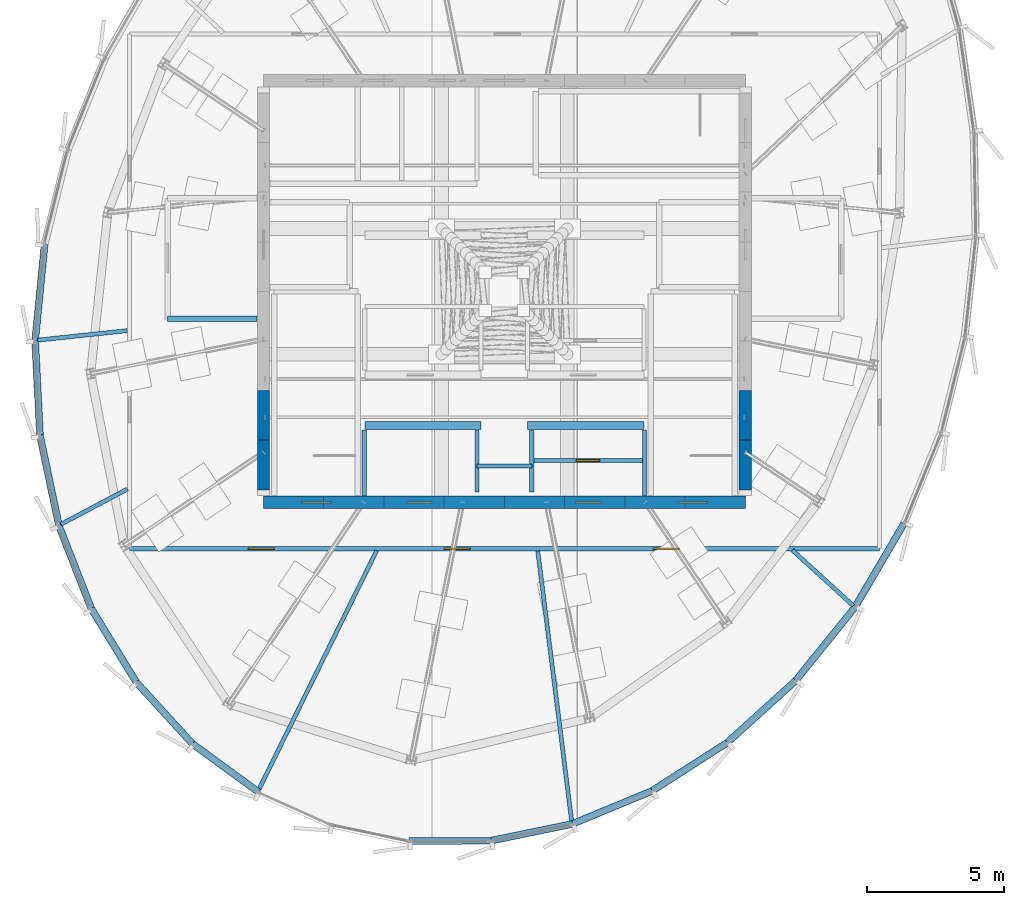
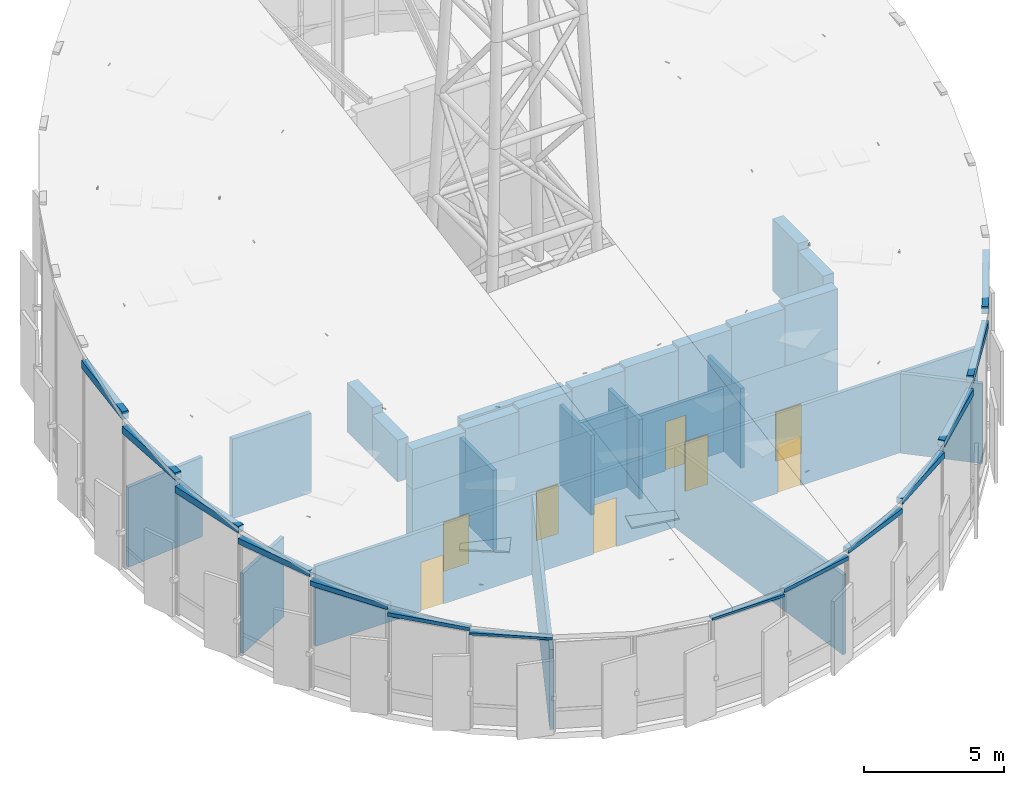
# One storey, part 32 of 36: 42 walls, 8 doors, 8 openings.
"""IFC4 building model written with IfcOpenShell, lengths in metres."""

from ifc_helpers import new_model, si_unit, direction, frame, frame_2d, origin, place, context, subcontext, project, spatial, rectangle, extrude, source, transform, mapped, material, layer, layer_set, type_object, element, fill, save


model = new_model("IFC4")

# Units and contexts
model_context = context("Model", 3, precision=1e-05, world=origin(), true_north=direction((0.0, 1.0)))
body_context = subcontext(model_context, "Body", "Model", "MODEL_VIEW")
ifc_project = project(units=[si_unit("LENGTHUNIT", "METRE"), si_unit("AREAUNIT", "SQUARE_METRE"), si_unit("VOLUMEUNIT", "CUBIC_METRE"), si_unit("PLANEANGLEUNIT", "RADIAN"), si_unit("MASSUNIT", "GRAM", prefix="KILO"), si_unit("THERMODYNAMICTEMPERATUREUNIT", "KELVIN")], contexts=[model_context])

# Site, building, storey
site_placement = place(None, origin())
site = spatial("IfcSite", under=ifc_project, at=site_placement, CompositionType="ELEMENT")
building_placement = place(site_placement, origin())
building = spatial("IfcBuilding", under=site, at=building_placement, Name="Kethvar Cultural Tower", CompositionType="ELEMENT")
storey_placement = place(building_placement, frame((0.0, 0.0, 324.300048828125)))
storey = spatial("IfcBuildingStorey", under=building, at=storey_placement, Name="L86", CompositionType="ELEMENT", Elevation=324.300048828125)

# Wall, openings, doors
ifc_material_1 = material(Name="Concrete C50/60", Category="concrete")
ifc_layer_1 = layer(ifc_material_1, 0.449951171875, Name="Concrete C50/60", Category="concrete")
ifc_layer_set_1 = layer_set([ifc_layer_1], Name="Concrete C50/60 (450 mm)")
wall_type_1 = type_object("IfcWallType", Name="WL-CORE-450", PredefinedType="SHEAR", material=ifc_layer_set_1)
wall_1_placement = place(storey_placement, frame((38.0, 20.10009765625, 0.0), z_axis=(0.0, 0.0, 1.0), x_axis=(1.0, 0.0, 0.0)))
wall_1 = element("IfcWall", 1, at=wall_1_placement, inside=storey, type_object=wall_type_1, Name="L86 Core Shear Wall S", PredefinedType="SHEAR", context=body_context, shape_type="SweptSolid", body=[
    extrude(rectangle(XDim=17.60009765625, YDim=0.449951171875, at=frame_2d((8.800048828125, 0.0))), origin(), (0.0, 0.0, 1.0), 4.199951171875),
])
opening_1_placement = place(wall_1_placement, frame((1.39990234375, 0.0, 0.0)))
opening_1 = element("IfcOpeningElement", 2, at=opening_1_placement, cuts=wall_1, Name="Opening D-L86-S1", PredefinedType="OPENING", context=body_context, shape_type="SweptSolid", body=[
    extrude(rectangle(XDim=1.050048828125, YDim=2.14990234375, at=frame_2d((0.52490234375, 1.074951171875))), frame((0.0, 0.23486328125, 0.0), z_axis=(0.0, -1.0, 0.0), x_axis=(1.0, 0.0, 0.0)), (0.0, 0.0, 1.0), 0.469970703125),
])
opening_2_placement = place(wall_1_placement, frame((15.14990234375, 0.0, 0.0)))
opening_2 = element("IfcOpeningElement", 3, at=opening_2_placement, cuts=wall_1, Name="Opening D-L86-ST2", PredefinedType="OPENING", context=body_context, shape_type="SweptSolid", body=[
    extrude(rectangle(XDim=1.050048828125, YDim=2.14990234375, at=frame_2d((0.52490234375, 1.074951171875))), frame((0.0, 0.23486328125, 0.0), z_axis=(0.0, -1.0, 0.0), x_axis=(1.0, 0.0, 0.0)), (0.0, 0.0, 1.0), 0.469970703125),
])
opening_3_placement = place(wall_1_placement, frame((5.25, 0.0, 0.0)))
opening_3 = element("IfcOpeningElement", 4, at=opening_3_placement, cuts=wall_1, Name="Opening D-L86-V1", PredefinedType="OPENING", context=body_context, shape_type="SweptSolid", body=[
    extrude(rectangle(XDim=0.89990234375, YDim=2.14990234375, at=frame_2d((0.449951171875, 1.074951171875))), frame((0.0, 0.23486328125, 0.0), z_axis=(0.0, -1.0, 0.0), x_axis=(1.0, 0.0, 0.0)), (0.0, 0.0, 1.0), 0.469970703125),
])
opening_4_placement = place(wall_1_placement, frame((11.39990234375, 0.0, 0.0)))
opening_4 = element("IfcOpeningElement", 5, at=opening_4_placement, cuts=wall_1, Name="Opening D-L86-V2", PredefinedType="OPENING", context=body_context, shape_type="SweptSolid", body=[
    extrude(rectangle(XDim=0.949951171875, YDim=2.14990234375, at=frame_2d((0.47509765625, 1.074951171875))), frame((0.0, 0.23486328125, 0.0), z_axis=(0.0, -1.0, 0.0), x_axis=(1.0, 0.0, 0.0)), (0.0, 0.0, 1.0), 0.469970703125),
])
ifc_material_2 = material(Name="Steel S355J2", Category="steel")
door_type_1 = type_object("IfcDoorType", Name="DR-FD60-1050", OperationType="NOTDEFINED", PredefinedType="DOOR", material=ifc_material_2)
shared_shape_1 = source(origin(), body_context, "Body", "SweptSolid", [
    extrude(rectangle(XDim=1.050048828125, YDim=2.14990234375, at=frame_2d((0.52490234375, 1.074951171875))), frame((0.0, 0.02490234375, 0.0), z_axis=(0.0, -1.0, 0.0), x_axis=(1.0, 0.0, 0.0)), (0.0, 0.0, 1.0), 0.050048828125),
])
door_1_placement = place(opening_1_placement, origin())
door_1 = element("IfcDoor", 6, at=door_1_placement, inside=storey, type_object=door_type_1, Name="L86 Exit Stair 1 Door", OperationType="SINGLE_SWING_LEFT", OverallHeight=2.14990234375, OverallWidth=1.050048828125, PredefinedType="DOOR", context=body_context, shape_type="MappedRepresentation", body=[
    mapped(shared_shape_1, transform((0.0, 0.0, 0.0), scale=1.0)),
])
fill(opening_1, door_1)
door_2_placement = place(opening_2_placement, origin())
door_2 = element("IfcDoor", 7, at=door_2_placement, inside=storey, type_object=door_type_1, Name="L86 Exit Stair 2 Door", OperationType="SINGLE_SWING_RIGHT", OverallHeight=2.14990234375, OverallWidth=1.050048828125, PredefinedType="DOOR", context=body_context, shape_type="MappedRepresentation", body=[
    mapped(shared_shape_1, transform((0.0, 0.0, 0.0), scale=1.0)),
])
fill(opening_2, door_2)
ifc_material_3 = material(Name="Architectural Oak Timber", Category="wood")
door_type_2 = type_object("IfcDoorType", Name="DR-FD30-950", OperationType="NOTDEFINED", PredefinedType="DOOR", material=ifc_material_3)
shared_shape_2 = source(origin(), body_context, "Body", "SweptSolid", [
    extrude(rectangle(XDim=0.949951171875, YDim=2.14990234375, at=frame_2d((0.47509765625, 1.074951171875))), frame((0.0, 0.02490234375, 0.0), z_axis=(0.0, -1.0, 0.0), x_axis=(1.0, 0.0, 0.0)), (0.0, 0.0, 1.0), 0.050048828125),
])
door_3_placement = place(opening_4_placement, origin())
door_3 = element("IfcDoor", 8, at=door_3_placement, inside=storey, type_object=door_type_2, Name="L86 Bindery Supply Door", OperationType="SINGLE_SWING_RIGHT", OverallHeight=2.14990234375, OverallWidth=0.949951171875, PredefinedType="DOOR", context=body_context, shape_type="MappedRepresentation", body=[
    mapped(shared_shape_2, transform((0.0, 0.0, 0.0), scale=1.0)),
])
fill(opening_4, door_3)
door_type_3 = type_object("IfcDoorType", Name="DR-FD30-900", OperationType="NOTDEFINED", PredefinedType="DOOR", material=ifc_material_3)
shared_shape_3 = source(origin(), body_context, "Body", "SweptSolid", [
    extrude(rectangle(XDim=0.89990234375, YDim=2.14990234375, at=frame_2d((0.449951171875, 1.074951171875))), frame((0.0, 0.02490234375, 0.0), z_axis=(0.0, -1.0, 0.0), x_axis=(1.0, 0.0, 0.0)), (0.0, 0.0, 1.0), 0.050048828125),
])
door_4_placement = place(opening_3_placement, origin())
door_4 = element("IfcDoor", 9, at=door_4_placement, inside=storey, type_object=door_type_3, Name="L86 Folio Vault Door", OperationType="SINGLE_SWING_LEFT", OverallHeight=2.14990234375, OverallWidth=0.89990234375, PredefinedType="DOOR", context=body_context, shape_type="MappedRepresentation", body=[
    mapped(shared_shape_3, transform((0.0, 0.0, 0.0), scale=1.0)),
])
fill(opening_3, door_4)

# Walls
wall_2_placement = place(storey_placement, frame((38.0, 20.10009765625, 4.199951171875), z_axis=(0.0, 0.0, 1.0), x_axis=(1.0, 0.0, 0.0)))
element("IfcWall", 10, at=wall_2_placement, inside=storey, type_object=wall_type_1, Name="L86 Crown Roof Core Bearing Stub S1", PredefinedType="SHEAR", context=body_context, shape_type="SweptSolid", body=[
    extrude(rectangle(XDim=2.199951171875, YDim=0.449951171875, at=frame_2d((1.10009765625, 0.0))), origin(), (0.0, 0.0, 1.0), 1.752197265625),
])
wall_3_placement = place(storey_placement, frame((40.199951171875, 20.10009765625, 4.199951171875), z_axis=(0.0, 0.0, 1.0), x_axis=(1.0, 0.0, 0.0)))
element("IfcWall", 11, at=wall_3_placement, inside=storey, type_object=wall_type_1, Name="L86 Crown Roof Core Bearing Stub S2", PredefinedType="SHEAR", context=body_context, shape_type="SweptSolid", body=[
    extrude(rectangle(XDim=2.199951171875, YDim=0.449951171875, at=frame_2d((1.10009765625, 0.0))), origin(), (0.0, 0.0, 1.0), 1.8779296875),
])
wall_4_placement = place(storey_placement, frame((42.39990234375, 20.10009765625, 4.199951171875), z_axis=(0.0, 0.0, 1.0), x_axis=(1.0, 0.0, 0.0)))
element("IfcWall", 12, at=wall_4_placement, inside=storey, type_object=wall_type_1, Name="L86 Crown Roof Core Bearing Stub S3", PredefinedType="SHEAR", context=body_context, shape_type="SweptSolid", body=[
    extrude(rectangle(XDim=2.2001953125, YDim=0.449951171875, at=frame_2d((1.10009765625, 0.0))), origin(), (0.0, 0.0, 1.0), 2.003662109375),
])
wall_5_placement = place(storey_placement, frame((44.60009765625, 20.10009765625, 4.199951171875), z_axis=(0.0, 0.0, 1.0), x_axis=(1.0, 0.0, 0.0)))
element("IfcWall", 13, at=wall_5_placement, inside=storey, type_object=wall_type_1, Name="L86 Crown Roof Core Bearing Stub S4", PredefinedType="SHEAR", context=body_context, shape_type="SweptSolid", body=[
    extrude(rectangle(XDim=2.199951171875, YDim=0.449951171875, at=frame_2d((1.10009765625, 0.0))), origin(), (0.0, 0.0, 1.0), 2.12939453125),
])
wall_6_placement = place(storey_placement, frame((46.800048828125, 20.10009765625, 4.199951171875), z_axis=(0.0, 0.0, 1.0), x_axis=(1.0, 0.0, 0.0)))
element("IfcWall", 14, at=wall_6_placement, inside=storey, type_object=wall_type_1, Name="L86 Crown Roof Core Bearing Stub S5", PredefinedType="SHEAR", context=body_context, shape_type="SweptSolid", body=[
    extrude(rectangle(XDim=2.199951171875, YDim=0.449951171875, at=frame_2d((1.10009765625, 0.0))), origin(), (0.0, 0.0, 1.0), 2.255126953125),
])
wall_7_placement = place(storey_placement, frame((49.0, 20.10009765625, 4.199951171875), z_axis=(0.0, 0.0, 1.0), x_axis=(1.0, 0.0, 0.0)))
element("IfcWall", 15, at=wall_7_placement, inside=storey, type_object=wall_type_1, Name="L86 Crown Roof Core Bearing Stub S6", PredefinedType="SHEAR", context=body_context, shape_type="SweptSolid", body=[
    extrude(rectangle(XDim=2.199951171875, YDim=0.449951171875, at=frame_2d((1.10009765625, 0.0))), origin(), (0.0, 0.0, 1.0), 2.381103515625),
])
wall_8_placement = place(storey_placement, frame((51.199951171875, 20.10009765625, 4.199951171875), z_axis=(0.0, 0.0, 1.0), x_axis=(1.0, 0.0, 0.0)))
element("IfcWall", 16, at=wall_8_placement, inside=storey, type_object=wall_type_1, Name="L86 Crown Roof Core Bearing Stub S7", PredefinedType="SHEAR", context=body_context, shape_type="SweptSolid", body=[
    extrude(rectangle(XDim=2.199951171875, YDim=0.449951171875, at=frame_2d((1.10009765625, 0.0))), origin(), (0.0, 0.0, 1.0), 2.5068359375),
])
wall_9_placement = place(storey_placement, frame((53.39990234375, 20.10009765625, 4.199951171875), z_axis=(0.0, 0.0, 1.0), x_axis=(1.0, 0.0, 0.0)))
element("IfcWall", 17, at=wall_9_placement, inside=storey, type_object=wall_type_1, Name="L86 Crown Roof Core Bearing Stub S8", PredefinedType="SHEAR", context=body_context, shape_type="SweptSolid", body=[
    extrude(rectangle(XDim=2.2001953125, YDim=0.449951171875, at=frame_2d((1.10009765625, 0.0))), origin(), (0.0, 0.0, 1.0), 2.632568359375),
])
wall_10_placement = place(storey_placement, frame((38.0, 24.175048828125, 4.199951171875), z_axis=(0.0, 0.0, 1.0), x_axis=(0.0, -1.0, 0.0)))
element("IfcWall", 18, at=wall_10_placement, inside=storey, type_object=wall_type_1, Name="L86 Crown Roof Core Bearing Stub W7", PredefinedType="SHEAR", context=body_context, shape_type="SweptSolid", body=[
    extrude(rectangle(XDim=1.8125, YDim=0.449951171875, at=frame_2d((0.90625, 0.0))), origin(), (0.0, 0.0, 1.0), 2.150146484375),
])
wall_11_placement = place(storey_placement, frame((38.0, 22.362548828125, 4.199951171875), z_axis=(0.0, 0.0, 1.0), x_axis=(0.0, -1.0, 0.0)))
element("IfcWall", 19, at=wall_11_placement, inside=storey, type_object=wall_type_1, Name="L86 Crown Roof Core Bearing Stub W8", PredefinedType="SHEAR", context=body_context, shape_type="SweptSolid", body=[
    extrude(rectangle(XDim=1.8125, YDim=0.449951171875, at=frame_2d((0.90625, 0.0))), origin(), (0.0, 0.0, 1.0), 1.831298828125),
])
wall_12_placement = place(storey_placement, frame((55.60009765625, 20.550048828125, 4.199951171875), z_axis=(0.0, 0.0, 1.0), x_axis=(0.0, 1.0, 0.0)))
element("IfcWall", 20, at=wall_12_placement, inside=storey, type_object=wall_type_1, Name="L86 Crown Roof Core Bearing Stub E1", PredefinedType="SHEAR", context=body_context, shape_type="SweptSolid", body=[
    extrude(rectangle(XDim=1.8125, YDim=0.449951171875, at=frame_2d((0.90625, 0.0))), origin(), (0.0, 0.0, 1.0), 2.83740234375),
])
wall_13_placement = place(storey_placement, frame((55.60009765625, 22.362548828125, 4.199951171875), z_axis=(0.0, 0.0, 1.0), x_axis=(0.0, 1.0, 0.0)))
element("IfcWall", 21, at=wall_13_placement, inside=storey, type_object=wall_type_1, Name="L86 Crown Roof Core Bearing Stub E2", PredefinedType="SHEAR", context=body_context, shape_type="SweptSolid", body=[
    extrude(rectangle(XDim=1.8125, YDim=0.449951171875, at=frame_2d((0.90625, 0.0))), origin(), (0.0, 0.0, 1.0), 3.156494140625),
])
ifc_material_4 = material(Name="Gypsum Fireboard Partition")
ifc_layer_2 = layer(ifc_material_4, 0.14990234375, Name="Gypsum Fireboard Partition")
ifc_layer_set_2 = layer_set([ifc_layer_2], Name="Gypsum Fireboard Partition (150 mm)")
wall_type_2 = type_object("IfcWallType", Name="WL-FIRE-150", PredefinedType="PARTITIONING", material=ifc_layer_set_2)
wall_14_placement = place(storey_placement, frame((45.800048828125, 21.419921875, 0.0), z_axis=(0.0, 0.0, 1.0), x_axis=(1.0, 0.0, 0.0)))
element("IfcWall", 22, at=wall_14_placement, inside=storey, type_object=wall_type_2, Name="L86 Core Riser Wall", PredefinedType="PARTITIONING", context=body_context, shape_type="SweptSolid", body=[
    extrude(rectangle(XDim=2.0, YDim=0.14990234375, at=frame_2d((1.0, 0.0))), origin(), (0.0, 0.0, 1.0), 3.489990234375),
])
for number, where, z_axis, x_axis, name in (
    (23, (45.800048828125, 20.47998046875, 0.0), (0.0, 0.0, 1.0), (0.0, 1.0, 0.0), "L86 Core Riser West Wall"),
    (24, (47.800048828125, 20.47998046875, 0.0), (0.0, 0.0, 1.0), (0.0, 1.0, 0.0), "L86 Core Riser East Wall"),
):
    element("IfcWall", number, at=place(storey_placement, frame(where, z_axis=z_axis, x_axis=x_axis)), inside=storey, type_object=wall_type_2, Name=name, PredefinedType="PARTITIONING", context=body_context, shape_type="SweptSolid", body=[
        extrude(rectangle(XDim=2.239990234375, YDim=0.14990234375, at=frame_2d((1.1201171875, 0.0))), origin(), (0.0, 0.0, 1.0), 3.489990234375),
    ])
for number, where, z_axis, x_axis, name in (
    (25, (41.679931640625, 20.3349609375, 0.0), (0.0, 0.0, 1.0), (0.0, 1.0, 0.0), "L86 Reclaimed West Outer Wall"),
    (26, (51.919921875, 20.3349609375, 0.0), (0.0, 0.0, 1.0), (0.0, 1.0, 0.0), "L86 Reclaimed East Outer Wall"),
):
    element("IfcWall", number, at=place(storey_placement, frame(where, z_axis=z_axis, x_axis=x_axis)), inside=storey, type_object=wall_type_2, Name=name, PredefinedType="PARTITIONING", context=body_context, shape_type="SweptSolid", body=[
        extrude(rectangle(XDim=2.39501953125, YDim=0.14990234375, at=frame_2d((1.197509765625, 0.0))), origin(), (0.0, 0.0, 1.0), 3.489990234375),
    ])

# Wall, opening, door
wall_15_placement = place(storey_placement, frame((47.8798828125, 21.6201171875, 0.0), z_axis=(0.0, 0.0, 1.0), x_axis=(1.0, 0.0, 0.0)))
wall_15 = element("IfcWall", 27, at=wall_15_placement, inside=storey, type_object=wall_type_2, Name="L86 Pantry Gallery Wall E", PredefinedType="PARTITIONING", context=body_context, shape_type="SweptSolid", body=[
    extrude(rectangle(XDim=3.960205078125, YDim=0.14990234375, at=frame_2d((1.97998046875, 0.0))), origin(), (0.0, 0.0, 1.0), 2.760009765625),
])
opening_5_placement = place(wall_15_placement, frame((1.550048828125, 0.0, 0.0)))
opening_5 = element("IfcOpeningElement", 28, at=opening_5_placement, cuts=wall_15, Name="Opening D-L86-V3", PredefinedType="OPENING", context=body_context, shape_type="SweptSolid", body=[
    extrude(rectangle(XDim=0.85009765625, YDim=2.14990234375, at=frame_2d((0.425048828125, 1.074951171875))), frame((0.0, 0.0849609375, 0.0), z_axis=(0.0, -1.0, 0.0), x_axis=(1.0, 0.0, 0.0)), (0.0, 0.0, 1.0), 0.169921875),
])
door_type_4 = type_object("IfcDoorType", Name="DR-FD30-850", OperationType="NOTDEFINED", PredefinedType="DOOR", material=ifc_material_2)
shared_shape_4 = source(origin(), body_context, "Body", "SweptSolid", [
    extrude(rectangle(XDim=0.85009765625, YDim=2.14990234375, at=frame_2d((0.425048828125, 1.074951171875))), frame((0.0, 0.02490234375, 0.0), z_axis=(0.0, -1.0, 0.0), x_axis=(1.0, 0.0, 0.0)), (0.0, 0.0, 1.0), 0.050048828125),
])
door_5_placement = place(opening_5_placement, origin())
door_5 = element("IfcDoor", 29, at=door_5_placement, inside=storey, type_object=door_type_4, Name="L86 Inner Pantry Gallery Door", OperationType="SINGLE_SWING_RIGHT", OverallHeight=2.14990234375, OverallWidth=0.85009765625, PredefinedType="DOOR", context=body_context, shape_type="MappedRepresentation", body=[
    mapped(shared_shape_4, transform((0.0, 0.0, 0.0), scale=1.0)),
])
fill(opening_5, door_5)

# Wall, openings, doors
wall_16_placement = place(storey_placement, frame((33.10009765625, 18.39990234375, 0.0), z_axis=(0.0, 0.0, 1.0), x_axis=(1.0, 0.0, 0.0)))
wall_16 = element("IfcWall", 30, at=wall_16_placement, inside=storey, type_object=wall_type_2, Name="L86 Corridor Rated Wall S", PredefinedType="PARTITIONING", context=body_context, shape_type="SweptSolid", body=[
    extrude(rectangle(XDim=27.39990234375, YDim=0.14990234375, at=frame_2d((13.699951171875, 0.0))), origin(), (0.0, 0.0, 1.0), 3.489990234375),
])
opening_6_placement = place(wall_16_placement, frame((4.349609375, 0.0, 0.0)))
opening_6 = element("IfcOpeningElement", 31, at=opening_6_placement, cuts=wall_16, Name="Opening D-L86-02", PredefinedType="OPENING", context=body_context, shape_type="SweptSolid", body=[
    extrude(rectangle(XDim=0.949951171875, YDim=2.14990234375, at=frame_2d((0.47509765625, 1.074951171875))), frame((0.0, 0.0849609375, 0.0), z_axis=(0.0, -1.0, 0.0), x_axis=(1.0, 0.0, 0.0)), (0.0, 0.0, 1.0), 0.169921875),
])
opening_7_placement = place(wall_16_placement, frame((11.499267578125, 0.0, 0.0)))
opening_7 = element("IfcOpeningElement", 32, at=opening_7_placement, cuts=wall_16, Name="Opening D-L86-03", PredefinedType="OPENING", context=body_context, shape_type="SweptSolid", body=[
    extrude(rectangle(XDim=0.949951171875, YDim=2.14990234375, at=frame_2d((0.47509765625, 1.074951171875))), frame((0.0, 0.0849609375, 0.0), z_axis=(0.0, -1.0, 0.0), x_axis=(1.0, 0.0, 0.0)), (0.0, 0.0, 1.0), 0.169921875),
])
opening_8_placement = place(wall_16_placement, frame((19.1298828125, 0.0, 0.0)))
opening_8 = element("IfcOpeningElement", 33, at=opening_8_placement, cuts=wall_16, Name="Opening D-L86-04", PredefinedType="OPENING", context=body_context, shape_type="SweptSolid", body=[
    extrude(rectangle(XDim=0.949951171875, YDim=2.14990234375, at=frame_2d((0.47509765625, 1.074951171875))), frame((0.0, 0.0849609375, 0.0), z_axis=(0.0, -1.0, 0.0), x_axis=(1.0, 0.0, 0.0)), (0.0, 0.0, 1.0), 0.169921875),
])
door_6_placement = place(opening_6_placement, origin())
door_6 = element("IfcDoor", 34, at=door_6_placement, inside=storey, type_object=door_type_2, Name="L86 Primary AHU Mechanical Plant Room 02 Door", OperationType="SINGLE_SWING_RIGHT", OverallHeight=2.14990234375, OverallWidth=0.949951171875, PredefinedType="DOOR", context=body_context, shape_type="MappedRepresentation", body=[
    mapped(shared_shape_2, transform((0.0, 0.0, 0.0), scale=1.0)),
])
fill(opening_6, door_6)
door_7_placement = place(opening_7_placement, origin())
door_7 = element("IfcDoor", 35, at=door_7_placement, inside=storey, type_object=door_type_2, Name="L86 Broadcast Transmitter Plant Room 03 Door", OperationType="SINGLE_SWING_LEFT", OverallHeight=2.14990234375, OverallWidth=0.949951171875, PredefinedType="DOOR", context=body_context, shape_type="MappedRepresentation", body=[
    mapped(shared_shape_2, transform((0.0, 0.0, 0.0), scale=1.0)),
])
fill(opening_7, door_7)
door_8_placement = place(opening_8_placement, origin())
door_8 = element("IfcDoor", 36, at=door_8_placement, inside=storey, type_object=door_type_2, Name="L86 MV Transformer Plant Room 04 Door", OperationType="SINGLE_SWING_RIGHT", OverallHeight=2.14990234375, OverallWidth=0.949951171875, PredefinedType="DOOR", context=body_context, shape_type="MappedRepresentation", body=[
    mapped(shared_shape_2, transform((0.0, 0.0, 0.0), scale=1.0)),
])
fill(opening_8, door_8)

# Walls
wall_17_placement = place(storey_placement, frame((33.0205078125, 26.365966796875, 0.0), z_axis=(0.0, 0.0, 1.0), x_axis=(-0.994443901879, -0.105267877416, 0.0)))
element("IfcWall", 37, at=wall_17_placement, inside=storey, type_object=wall_type_2, Name="L86 Radial Partition Wall 01", PredefinedType="PARTITIONING", context=body_context, shape_type="SweptSolid", body=[
    extrude(rectangle(XDim=3.291015625, YDim=0.14990234375, at=frame_2d((1.6455078125, 0.0))), origin(), (0.0, 0.0, 1.0), 3.489990234375),
])
wall_18_placement = place(storey_placement, frame((33.029296875, 20.579833984375, 0.0), z_axis=(0.0, 0.0, 1.0), x_axis=(-0.883543474872, -0.468349151821, 0.0)))
element("IfcWall", 38, at=wall_18_placement, inside=storey, type_object=wall_type_2, Name="L86 Radial Partition Wall 02", PredefinedType="PARTITIONING", context=body_context, shape_type="SweptSolid", body=[
    extrude(rectangle(XDim=2.74658203125, YDim=0.14990234375, at=frame_2d((1.373291015625, 0.0))), origin(), (0.0, 0.0, 1.0), 3.489990234375),
])
wall_19_placement = place(storey_placement, frame((42.134033203125, 18.328369140625, 0.0), z_axis=(0.0, 0.0, 1.0), x_axis=(-0.442285567436, -0.896874281512, 0.0)))
element("IfcWall", 39, at=wall_19_placement, inside=storey, type_object=wall_type_2, Name="L86 Radial Partition Wall 03", PredefinedType="PARTITIONING", context=body_context, shape_type="SweptSolid", body=[
    extrude(rectangle(XDim=9.723388671875, YDim=0.14990234375, at=frame_2d((4.86181640625, 0.0))), origin(), (0.0, 0.0, 1.0), 3.489990234375),
])
wall_20_placement = place(storey_placement, frame((48.018798828125, 18.320556640625, 0.0), z_axis=(0.0, 0.0, 1.0), x_axis=(0.124498961455, -0.99221973806, 0.0)))
element("IfcWall", 40, at=wall_20_placement, inside=storey, type_object=wall_type_2, Name="L86 Radial Partition Wall 04", PredefinedType="PARTITIONING", context=body_context, shape_type="SweptSolid", body=[
    extrude(rectangle(XDim=9.9677734375, YDim=0.14990234375, at=frame_2d((4.98388671875, 0.0))), origin(), (0.0, 0.0, 1.0), 3.489990234375),
])
wall_21_placement = place(storey_placement, frame((57.320556640625, 18.34619140625, 0.0), z_axis=(0.0, 0.0, 1.0), x_axis=(0.738761763857, -0.673966658124, 0.0)))
element("IfcWall", 41, at=wall_21_placement, inside=storey, type_object=wall_type_2, Name="L86 Radial Partition Wall 05", PredefinedType="PARTITIONING", context=body_context, shape_type="SweptSolid", body=[
    extrude(rectangle(XDim=3.0029296875, YDim=0.14990234375, at=frame_2d((1.50146484375, 0.0))), origin(), (0.0, 0.0, 1.0), 3.489990234375),
])
ifc_material_5 = material(Name="Concrete C40/50", Category="concrete")
ifc_layer_3 = layer(ifc_material_5, 0.199951171875, Name="Concrete C40/50", Category="concrete")
ifc_layer_set_3 = layer_set([ifc_layer_3], Name="Concrete C40/50 (200 mm)")
wall_type_3 = type_object("IfcWallType", Name="WL-FIRE-200", PredefinedType="PARTITIONING", material=ifc_layer_set_3)
wall_22_placement = place(storey_placement, frame((34.5, 26.800048828125, 0.0), z_axis=(0.0, 0.0, 1.0), x_axis=(1.0, 0.0, 0.0)))
element("IfcWall", 42, at=wall_22_placement, inside=storey, type_object=wall_type_3, Name="L86 FF Lobby 1 South Wall", PredefinedType="PARTITIONING", context=body_context, shape_type="SweptSolid", body=[
    extrude(rectangle(XDim=3.264892578125, YDim=0.199951171875, at=frame_2d((1.63232421875, 0.0))), origin(), (0.0, 0.0, 1.0), 3.489990234375),
])
ifc_material_6 = material(Name="Precast concrete C40/50", Category="concrete")
ifc_layer_4 = layer(ifc_material_6, 0.25, Name="Precast concrete C40/50", Category="concrete")
ifc_layer_set_4 = layer_set([ifc_layer_4], Name="Precast concrete C40/50 (250 mm)")
wall_type_4 = type_object("IfcWallType", Name="WL-PARAPET-250", PredefinedType="PARAPET", material=ifc_layer_set_4)
wall_23_placement = place(storey_placement, frame((30.00537109375, 29.524658203125, 6.505615234375), z_axis=(0.0, 0.0, 1.0), x_axis=(-0.097762221924, -0.995209800979, 0.0)))
element("IfcWall", 43, at=wall_23_placement, inside=storey, type_object=wall_type_4, Name="Crown Sloped Eave Spandrel Wall FS-11", PredefinedType="PARAPET", context=body_context, shape_type="SweptSolid", body=[
    extrude(rectangle(XDim=3.5537109375, YDim=0.25, at=frame_2d((1.77685546875, 0.0))), origin(), (0.0, 0.0, 1.0), 0.341064453125),
])
wall_24_placement = place(storey_placement, frame((29.658447265625, 26.0087890625, 5.903076171875), z_axis=(0.0, 0.0, 1.0), x_axis=(0.050978363746, -0.9986997579, 0.0)))
element("IfcWall", 44, at=wall_24_placement, inside=storey, type_object=wall_type_4, Name="Crown Sloped Eave Spandrel Wall FS-12", PredefinedType="PARAPET", context=body_context, shape_type="SweptSolid", body=[
    extrude(rectangle(XDim=3.486572265625, YDim=0.25, at=frame_2d((1.7431640625, 0.0))), origin(), (0.0, 0.0, 1.0), 0.3212890625),
])
wall_25_placement = place(storey_placement, frame((29.833251953125, 22.548583984375, 5.358642578125), z_axis=(0.0, 0.0, 1.0), x_axis=(0.205444892751, -0.978668685533, 0.0)))
element("IfcWall", 45, at=wall_25_placement, inside=storey, type_object=wall_type_4, Name="Crown Sloped Eave Spandrel Wall FS-13", PredefinedType="PARAPET", context=body_context, shape_type="SweptSolid", body=[
    extrude(rectangle(XDim=3.39404296875, YDim=0.25, at=frame_2d((1.697021484375, 0.0))), origin(), (0.0, 0.0, 1.0), 0.292236328125),
])
wall_26_placement = place(storey_placement, frame((30.52392578125, 19.249267578125, 4.888671875), z_axis=(0.0, 0.0, 1.0), x_axis=(0.363973425336, -0.931409333027, 0.0)))
element("IfcWall", 46, at=wall_26_placement, inside=storey, type_object=wall_type_4, Name="Crown Sloped Eave Spandrel Wall FS-14", PredefinedType="PARAPET", context=body_context, shape_type="SweptSolid", body=[
    extrude(rectangle(XDim=3.285400390625, YDim=0.25, at=frame_2d((1.642578125, 0.0))), origin(), (0.0, 0.0, 1.0), 0.2548828125),
])
wall_27_placement = place(storey_placement, frame((31.708740234375, 16.211181640625, 4.50732421875), z_axis=(0.0, 0.0, 1.0), x_axis=(0.522495301816, -0.852642163853, 0.0)))
element("IfcWall", 47, at=wall_27_placement, inside=storey, type_object=wall_type_4, Name="Crown Sloped Eave Spandrel Wall FS-15", PredefinedType="PARAPET", context=body_context, shape_type="SweptSolid", body=[
    extrude(rectangle(XDim=3.173095703125, YDim=0.25, at=frame_2d((1.58642578125, 0.0))), origin(), (0.0, 0.0, 1.0), 0.21044921875),
])
wall_28_placement = place(storey_placement, frame((33.3505859375, 13.526611328125, 4.226318359375), z_axis=(0.0, 0.0, 1.0), x_axis=(0.673890442093, -0.738831287951, 0.0)))
element("IfcWall", 48, at=wall_28_placement, inside=storey, type_object=wall_type_4, Name="Crown Sloped Eave Spandrel Wall FS-16", PredefinedType="PARAPET", context=body_context, shape_type="SweptSolid", body=[
    extrude(rectangle(XDim=3.071533203125, YDim=0.25, at=frame_2d((1.53564453125, 0.0))), origin(), (0.0, 0.0, 1.0), 0.160400390625),
])
for number, where, z_axis, x_axis, name in (
    (49, (35.399658203125, 11.276123046875, 4.05419921875), (0.0, 0.0, 1.0), (0.808001867987, -0.589179922715, 0.0), "Crown Sloped Eave Spandrel Wall FS-17"),
    (50, (43.3173828125, 7.725830078125, 4.05419921875), (0.0, 0.0, 1.0), (0.999998533251, 0.001712745225, 0.0), "Crown Sloped Eave Spandrel Wall FS-20"),
):
    element("IfcWall", number, at=place(storey_placement, frame(where, z_axis=z_axis, x_axis=x_axis)), inside=storey, type_object=wall_type_4, Name=name, PredefinedType="PARAPET", context=body_context, shape_type="SweptSolid", body=[
        extrude(rectangle(XDim=2.993408203125, YDim=0.25, at=frame_2d((1.49658203125, 0.0))), origin(), (0.0, 0.0, 1.0), 0.10595703125),
    ])
wall_29_placement = place(storey_placement, frame((46.28271484375, 7.72802734375, 4.226318359375), z_axis=(0.0, 0.0, 1.0), x_axis=(0.979455196184, 0.201661891959, 0.0)))
element("IfcWall", 51, at=wall_29_placement, inside=storey, type_object=wall_type_4, Name="Crown Sloped Eave Spandrel Wall FS-21", PredefinedType="PARAPET", context=body_context, shape_type="SweptSolid", body=[
    extrude(rectangle(XDim=3.0712890625, YDim=0.25, at=frame_2d((1.53564453125, 0.0))), origin(), (0.0, 0.0, 1.0), 0.160400390625),
])
wall_30_placement = place(storey_placement, frame((49.265625, 8.339599609375, 4.50732421875), z_axis=(0.0, 0.0, 1.0), x_axis=(0.923860238218, 0.382730009588, 0.0)))
element("IfcWall", 52, at=wall_30_placement, inside=storey, type_object=wall_type_4, Name="Crown Sloped Eave Spandrel Wall FS-22", PredefinedType="PARAPET", context=body_context, shape_type="SweptSolid", body=[
    extrude(rectangle(XDim=3.173583984375, YDim=0.25, at=frame_2d((1.5869140625, 0.0))), origin(), (0.0, 0.0, 1.0), 0.21044921875),
])
wall_31_placement = place(storey_placement, frame((52.175537109375, 9.542724609375, 4.888671875), z_axis=(0.0, 0.0, 1.0), x_axis=(0.841940597413, 0.539570227521, 0.0)))
element("IfcWall", 53, at=wall_31_placement, inside=storey, type_object=wall_type_4, Name="Crown Sloped Eave Spandrel Wall FS-23", PredefinedType="PARAPET", context=body_context, shape_type="SweptSolid", body=[
    extrude(rectangle(XDim=3.285400390625, YDim=0.25, at=frame_2d((1.642578125, 0.0))), origin(), (0.0, 0.0, 1.0), 0.2548828125),
])
wall_32_placement = place(storey_placement, frame((54.923095703125, 11.301513671875, 5.358642578125), z_axis=(0.0, 0.0, 1.0), x_axis=(0.741510215503, 0.670941577415, 0.0)))
element("IfcWall", 54, at=wall_32_placement, inside=storey, type_object=wall_type_4, Name="Crown Sloped Eave Spandrel Wall FS-24", PredefinedType="PARAPET", context=body_context, shape_type="SweptSolid", body=[
    extrude(rectangle(XDim=3.393798828125, YDim=0.25, at=frame_2d((1.69677734375, 0.0))), origin(), (0.0, 0.0, 1.0), 0.292236328125),
])
wall_33_placement = place(storey_placement, frame((57.4248046875, 13.56298828125, 5.903076171875), z_axis=(0.0, 0.0, 1.0), x_axis=(0.628232778482, 0.778025434058, 0.0)))
element("IfcWall", 55, at=wall_33_placement, inside=storey, type_object=wall_type_4, Name="Crown Sloped Eave Spandrel Wall FS-25", PredefinedType="PARAPET", context=body_context, shape_type="SweptSolid", body=[
    extrude(rectangle(XDim=3.486328125, YDim=0.25, at=frame_2d((1.7431640625, 0.0))), origin(), (0.0, 0.0, 1.0), 0.3212890625),
])
wall_34_placement = place(storey_placement, frame((59.60302734375, 16.25830078125, 6.505615234375), z_axis=(0.0, 0.0, 1.0), x_axis=(0.505932830003, 0.862572878964, 0.0)))
element("IfcWall", 56, at=wall_34_placement, inside=storey, type_object=wall_type_4, Name="Crown Sloped Eave Spandrel Wall FS-26", PredefinedType="PARAPET", context=body_context, shape_type="SweptSolid", body=[
    extrude(rectangle(XDim=3.553466796875, YDim=0.25, at=frame_2d((1.77685546875, 0.0))), origin(), (0.0, 0.0, 1.0), 0.341064453125),
])
ifc_layer_5 = layer(ifc_material_1, 0.300048828125, Name="Concrete C50/60", Category="concrete")
ifc_layer_set_5 = layer_set([ifc_layer_5], Name="Concrete C50/60 (300 mm)")
wall_type_5 = type_object("IfcWallType", Name="WL-SHAFT-300", PredefinedType="SHEAR", material=ifc_layer_set_5)
for number, where, z_axis, x_axis, name in (
    (57, (41.699951171875, 22.89990234375, 0.0), (0.0, 0.0, 1.0), (1.0, 0.0, 0.0), "L86 Core Lift Spine Wall MID1W"),
    (58, (47.64990234375, 22.89990234375, 0.0), (0.0, 0.0, 1.0), (1.0, 0.0, 0.0), "L86 Core Lift Spine Wall MID1E"),
):
    element("IfcWall", number, at=place(storey_placement, frame(where, z_axis=z_axis, x_axis=x_axis)), inside=storey, type_object=wall_type_5, Name=name, PredefinedType="SHEAR", context=body_context, shape_type="SweptSolid", body=[
        extrude(rectangle(XDim=4.25, YDim=0.300048828125, at=frame_2d((2.125, 0.0))), origin(), (0.0, 0.0, 1.0), 4.199951171875),
    ])

save(model, "model.ifc")
